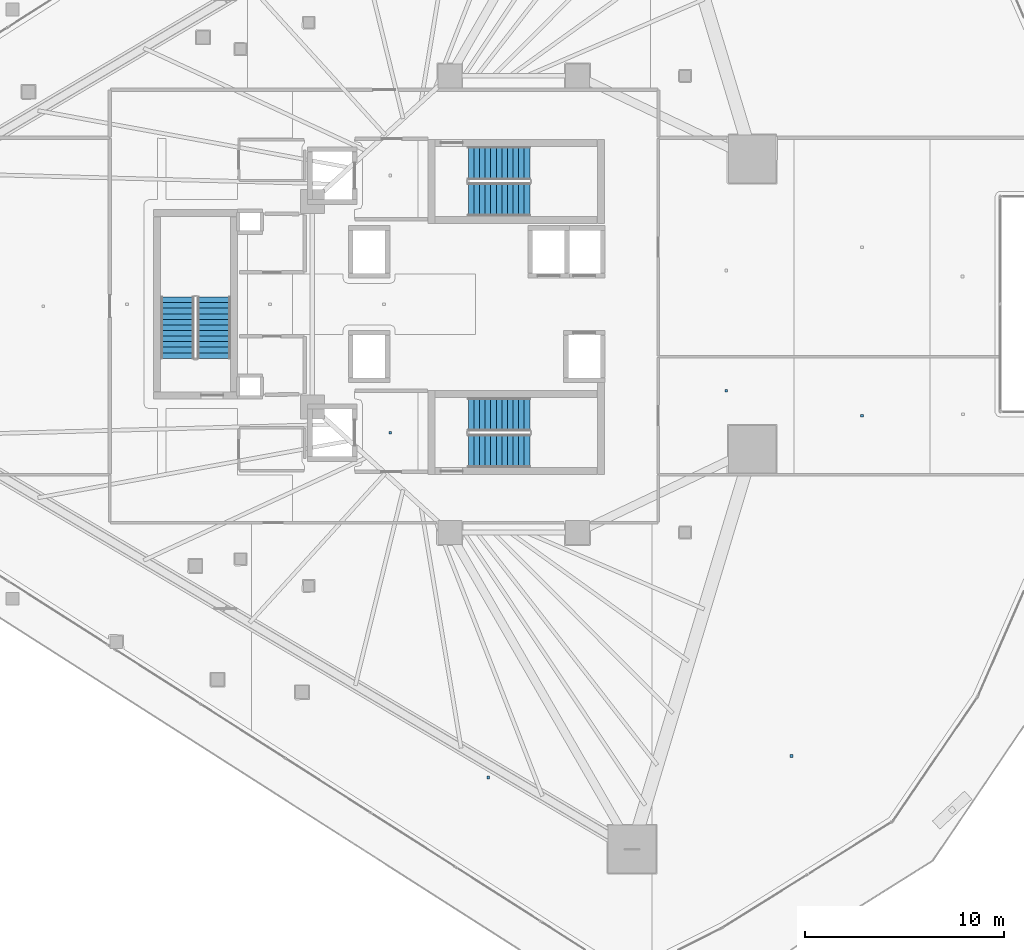
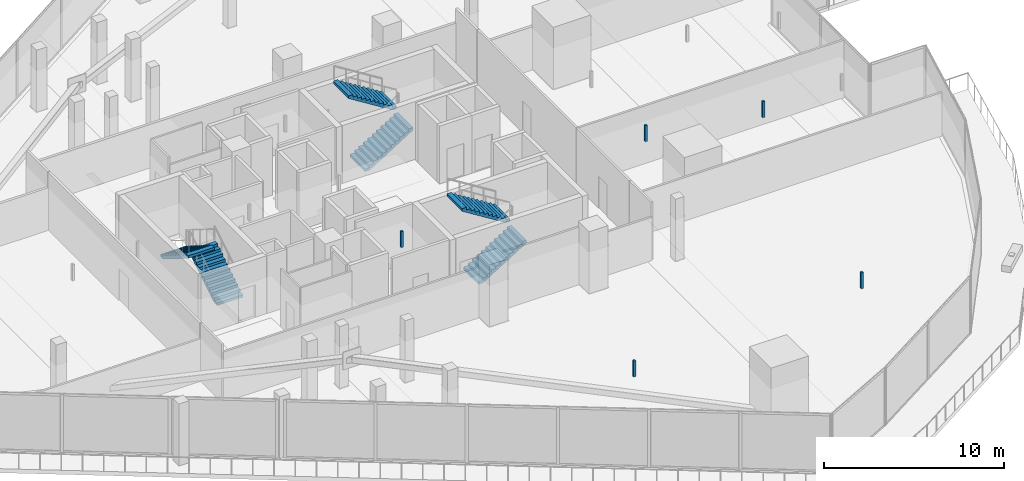
# One storey, part 32 of 43: 6 stair flights, 5 discrete accessories, 3 elements without a shape of their own.
"""IFC4 building model written with IfcOpenShell, lengths in metres."""

from ifc_helpers import new_model, si_unit, direction, frame, origin, origin_2d, place, context, subcontext, project, spatial, polyline, rectangle, outline, extrude, material, layer, layer_set, type_object, element, aggregate, save


model = new_model("IFC4")

# Units and contexts
model_context = context("Model", 3, precision=1e-05, world=origin(), true_north=direction((0.0, 1.0)))
body_context = subcontext(model_context, "Body", "Model", "MODEL_VIEW")
ifc_project = project(units=[si_unit("LENGTHUNIT", "METRE"), si_unit("AREAUNIT", "SQUARE_METRE"), si_unit("VOLUMEUNIT", "CUBIC_METRE"), si_unit("PLANEANGLEUNIT", "RADIAN"), si_unit("MASSUNIT", "GRAM", prefix="KILO")], contexts=[model_context])

# Site, building, storey
site_placement = place(None, origin())
site = spatial("IfcSite", under=ifc_project, at=site_placement, CompositionType="ELEMENT")
building_placement = place(site_placement, origin())
building = spatial("IfcBuilding", under=site, at=building_placement, Name="Qorvath Tower", CompositionType="ELEMENT")
storey_placement = place(building_placement, frame((0.0, 0.0, 36.60009765625)))
storey = spatial("IfcBuildingStorey", under=building, at=storey_placement, Name="L07", CompositionType="ELEMENT", Elevation=36.60009765625)

# Stair, stair flights
ifc_material_1 = material(Name="Concrete C50/60", Category="concrete")
stair_type = type_object("IfcStairType", Name="ST-H420", PredefinedType="HALF_TURN_STAIR", material=ifc_material_1)
stair_1_placement = place(storey_placement, origin())
stair_1 = element("IfcStair", 1, at=stair_1_placement, inside=storey, type_object=stair_type, Name="L07 Tower Exit Stair 1", PredefinedType="HALF_TURN_STAIR")
ifc_material_2 = material(Name="Concrete C50/60", Category="concrete")
ifc_layer = layer(ifc_material_2, 0.14990234375)
ifc_layer_set = layer_set([ifc_layer], Name="SF-H420")
stair_flight_type = type_object("IfcStairFlightType", Name="SF-H420", PredefinedType="STRAIGHT", material=ifc_layer_set)
stair_flight_1_placement = place(storey_placement, frame((-22.669921875, 5.239990234375, 0.0), z_axis=(0.0, 0.0, 1.0), x_axis=(1.0, 0.0, 0.0)))
stair_flight_1 = element("IfcStairFlight", 2, at=stair_flight_1_placement, type_object=stair_flight_type, Name="TS1 flight 1", NumberOfRisers=12, NumberOfTreads=11, PredefinedType="STRAIGHT", RiserHeight=0.175, TreadLength=0.28, context=body_context, shape_type="SweptSolid", body=[
    extrude(outline(polyline([(0.0, 0.0), (0.0, 0.175048828125), (0.280029296875, 0.175048828125), (0.280029296875, 0.35009765625), (0.56005859375, 0.35009765625), (0.56005859375, 0.52490234375), (0.840087890625, 0.52490234375), (0.840087890625, 0.699951171875), (1.1201171875, 0.699951171875), (1.1201171875, 0.875), (1.39990234375, 0.875), (1.39990234375, 1.050048828125), (1.679931640625, 1.050048828125), (1.679931640625, 1.22509765625), (1.9599609375, 1.22509765625), (1.9599609375, 1.39990234375), (2.239990234375, 1.39990234375), (2.239990234375, 1.574951171875), (2.52001953125, 1.574951171875), (2.52001953125, 1.75), (2.800048828125, 1.75), (2.800048828125, 1.925048828125), (3.080078125, 1.925048828125), (3.080078125, 2.10009765625), (3.080078125, 1.748291015625), (0.28271484375, 0.0), (0.0, 0.0)])), frame((0.0, 0.83984375, 0.0), z_axis=(0.0, -1.0, 0.0), x_axis=(1.0, 0.0, 0.0)), (0.0, 0.0, 1.0), 1.679931640625),
])
stair_flight_2_placement = place(storey_placement, frame((-19.590087890625, 7.070068359375, 2.099853515625), z_axis=(0.0, 0.0, 1.0), x_axis=(-1.0, 0.0, 0.0)))
stair_flight_2 = element("IfcStairFlight", 3, at=stair_flight_2_placement, type_object=stair_flight_type, Name="TS1 flight 2", NumberOfRisers=12, NumberOfTreads=11, PredefinedType="STRAIGHT", RiserHeight=0.175, TreadLength=0.28, context=body_context, shape_type="SweptSolid", body=[
    extrude(outline(polyline([(0.0, 0.0), (0.0, 0.175048828125), (0.280029296875, 0.175048828125), (0.280029296875, 0.35009765625), (0.56005859375, 0.35009765625), (0.56005859375, 0.52490234375), (0.840087890625, 0.52490234375), (0.840087890625, 0.699951171875), (1.1201171875, 0.699951171875), (1.1201171875, 0.875), (1.39990234375, 0.875), (1.39990234375, 1.050048828125), (1.679931640625, 1.050048828125), (1.679931640625, 1.22509765625), (1.9599609375, 1.22509765625), (1.9599609375, 1.39990234375), (2.239990234375, 1.39990234375), (2.239990234375, 1.574951171875), (2.52001953125, 1.574951171875), (2.52001953125, 1.75), (2.800048828125, 1.75), (2.800048828125, 1.925048828125), (3.080078125, 1.925048828125), (3.080078125, 2.10009765625), (3.080078125, 1.748291015625), (0.28271484375, 0.0), (0.0, 0.0)])), frame((0.0, 0.83984375, 0.0), z_axis=(0.0, -1.0, 0.0), x_axis=(1.0, 0.0, 0.0)), (0.0, 0.0, 1.0), 1.679931640625),
])
aggregate(stair_1, [stair_flight_1, stair_flight_2])

stair_2_placement = place(storey_placement, origin())
stair_2 = element("IfcStair", 4, at=stair_2_placement, inside=storey, type_object=stair_type, Name="L07 Tower Exit Stair 2", PredefinedType="HALF_TURN_STAIR")
stair_flight_3_placement = place(storey_placement, frame((-22.669921875, -7.360107421875, 0.0), z_axis=(0.0, 0.0, 1.0), x_axis=(1.0, 0.0, 0.0)))
stair_flight_3 = element("IfcStairFlight", 5, at=stair_flight_3_placement, type_object=stair_flight_type, Name="TS2 flight 1", NumberOfRisers=12, NumberOfTreads=11, PredefinedType="STRAIGHT", RiserHeight=0.175, TreadLength=0.28, context=body_context, shape_type="SweptSolid", body=[
    extrude(outline(polyline([(0.0, 0.0), (0.0, 0.175048828125), (0.280029296875, 0.175048828125), (0.280029296875, 0.35009765625), (0.56005859375, 0.35009765625), (0.56005859375, 0.52490234375), (0.840087890625, 0.52490234375), (0.840087890625, 0.699951171875), (1.1201171875, 0.699951171875), (1.1201171875, 0.875), (1.39990234375, 0.875), (1.39990234375, 1.050048828125), (1.679931640625, 1.050048828125), (1.679931640625, 1.22509765625), (1.9599609375, 1.22509765625), (1.9599609375, 1.39990234375), (2.239990234375, 1.39990234375), (2.239990234375, 1.574951171875), (2.52001953125, 1.574951171875), (2.52001953125, 1.75), (2.800048828125, 1.75), (2.800048828125, 1.925048828125), (3.080078125, 1.925048828125), (3.080078125, 2.10009765625), (3.080078125, 1.748291015625), (0.28271484375, 0.0), (0.0, 0.0)])), frame((0.0, 0.83984375, 0.0), z_axis=(0.0, -1.0, 0.0), x_axis=(1.0, 0.0, 0.0)), (0.0, 0.0, 1.0), 1.679931640625),
])
stair_flight_4_placement = place(storey_placement, frame((-19.590087890625, -5.530029296875, 2.099853515625), z_axis=(0.0, 0.0, 1.0), x_axis=(-1.0, 0.0, 0.0)))
stair_flight_4 = element("IfcStairFlight", 6, at=stair_flight_4_placement, type_object=stair_flight_type, Name="TS2 flight 2", NumberOfRisers=12, NumberOfTreads=11, PredefinedType="STRAIGHT", RiserHeight=0.175, TreadLength=0.28, context=body_context, shape_type="SweptSolid", body=[
    extrude(outline(polyline([(0.0, 0.0), (0.0, 0.175048828125), (0.280029296875, 0.175048828125), (0.280029296875, 0.35009765625), (0.56005859375, 0.35009765625), (0.56005859375, 0.52490234375), (0.840087890625, 0.52490234375), (0.840087890625, 0.699951171875), (1.1201171875, 0.699951171875), (1.1201171875, 0.875), (1.39990234375, 0.875), (1.39990234375, 1.050048828125), (1.679931640625, 1.050048828125), (1.679931640625, 1.22509765625), (1.9599609375, 1.22509765625), (1.9599609375, 1.39990234375), (2.239990234375, 1.39990234375), (2.239990234375, 1.574951171875), (2.52001953125, 1.574951171875), (2.52001953125, 1.75), (2.800048828125, 1.75), (2.800048828125, 1.925048828125), (3.080078125, 1.925048828125), (3.080078125, 2.10009765625), (3.080078125, 1.748291015625), (0.28271484375, 0.0), (0.0, 0.0)])), frame((0.0, 0.83984375, 0.0), z_axis=(0.0, -1.0, 0.0), x_axis=(1.0, 0.0, 0.0)), (0.0, 0.0, 1.0), 1.679931640625),
])
aggregate(stair_2, [stair_flight_3, stair_flight_4])

stair_3_placement = place(storey_placement, origin())
stair_3 = element("IfcStair", 7, at=stair_3_placement, inside=storey, type_object=stair_type, Name="L07 Tower Exit Stair 3", PredefinedType="HALF_TURN_STAIR")
stair_flight_5_placement = place(storey_placement, frame((-35.43994140625, -2.719970703125, 0.0), z_axis=(0.0, 0.0, 1.0), x_axis=(0.0, 1.0, 0.0)))
stair_flight_5 = element("IfcStairFlight", 8, at=stair_flight_5_placement, type_object=stair_flight_type, Name="TS3 flight 1", NumberOfRisers=12, NumberOfTreads=11, PredefinedType="STRAIGHT", RiserHeight=0.175, TreadLength=0.28, context=body_context, shape_type="SweptSolid", body=[
    extrude(outline(polyline([(0.0, 0.0), (0.0, 0.175048828125), (0.280029296875, 0.175048828125), (0.280029296875, 0.35009765625), (0.56005859375, 0.35009765625), (0.56005859375, 0.52490234375), (0.840087890625, 0.52490234375), (0.840087890625, 0.699951171875), (1.1201171875, 0.699951171875), (1.1201171875, 0.875), (1.39990234375, 0.875), (1.39990234375, 1.050048828125), (1.679931640625, 1.050048828125), (1.679931640625, 1.22509765625), (1.9599609375, 1.22509765625), (1.9599609375, 1.39990234375), (2.239990234375, 1.39990234375), (2.239990234375, 1.574951171875), (2.52001953125, 1.574951171875), (2.52001953125, 1.75), (2.800048828125, 1.75), (2.800048828125, 1.925048828125), (3.080078125, 1.925048828125), (3.080078125, 2.10009765625), (3.080078125, 1.748291015625), (0.28271484375, 0.0), (0.0, 0.0)])), frame((0.0, 0.83984375, 0.0), z_axis=(0.0, -1.0, 0.0), x_axis=(1.0, 0.0, 0.0)), (0.0, 0.0, 1.0), 1.679931640625),
])
stair_flight_6_placement = place(storey_placement, frame((-37.27001953125, 0.360107421875, 2.099853515625), z_axis=(0.0, 0.0, 1.0), x_axis=(0.0, -1.0, 0.0)))
stair_flight_6 = element("IfcStairFlight", 9, at=stair_flight_6_placement, type_object=stair_flight_type, Name="TS3 flight 2", NumberOfRisers=12, NumberOfTreads=11, PredefinedType="STRAIGHT", RiserHeight=0.175, TreadLength=0.28, context=body_context, shape_type="SweptSolid", body=[
    extrude(outline(polyline([(0.0, 0.0), (0.0, 0.175048828125), (0.280029296875, 0.175048828125), (0.280029296875, 0.35009765625), (0.56005859375, 0.35009765625), (0.56005859375, 0.52490234375), (0.840087890625, 0.52490234375), (0.840087890625, 0.699951171875), (1.1201171875, 0.699951171875), (1.1201171875, 0.875), (1.39990234375, 0.875), (1.39990234375, 1.050048828125), (1.679931640625, 1.050048828125), (1.679931640625, 1.22509765625), (1.9599609375, 1.22509765625), (1.9599609375, 1.39990234375), (2.239990234375, 1.39990234375), (2.239990234375, 1.574951171875), (2.52001953125, 1.574951171875), (2.52001953125, 1.75), (2.800048828125, 1.75), (2.800048828125, 1.925048828125), (3.080078125, 1.925048828125), (3.080078125, 2.10009765625), (3.080078125, 1.748291015625), (0.28271484375, 0.0), (0.0, 0.0)])), frame((0.0, 0.83984375, 0.0), z_axis=(0.0, -1.0, 0.0), x_axis=(1.0, 0.0, 0.0)), (0.0, 0.0, 1.0), 1.679931640625),
])
aggregate(stair_3, [stair_flight_5, stair_flight_6])

# Discrete accessories
ifc_material_3 = material(Name="Galvanised steel bracket", Category="steel")
discrete_accessory_type = type_object("IfcDiscreteAccessoryType", Name="DA-BRACKET", PredefinedType="BRACKET", material=ifc_material_3)
for number, where, z_axis, x_axis, name in (
    (10, (-26.590087890625, -6.449951171875, 2.85986328125), (0.0, 0.0, 1.0), (1.0, 0.0, 0.0), "Acoustic Ceiling Suspension Hanger T1-L07-002"),
    (11, (-21.671630859375, -23.73974609375, 2.85986328125), (0.0, 0.0, 1.0), (1.0, 0.0, 0.0), "Acoustic Ceiling Suspension Hanger T1-L07-014"),
    (12, (-6.464111328125, -22.664794921875, 2.85986328125), (0.0, 0.0, 1.0), (1.0, 0.0, 0.0), "Acoustic Ceiling Suspension Hanger T1-L07-015"),
    (13, (-9.7333984375, -4.341064453125, 2.85986328125), (0.0, 0.0, 1.0), (1.0, 0.0, 0.0), "Acoustic Ceiling Suspension Hanger T1-L07-019"),
    (14, (-2.92626953125, -5.592529296875, 2.85986328125), (0.0, 0.0, 1.0), (1.0, 0.0, 0.0), "Acoustic Ceiling Suspension Hanger T1-L07-020"),
):
    element("IfcDiscreteAccessory", number, at=place(storey_placement, frame(where, z_axis=z_axis, x_axis=x_axis)), inside=storey, type_object=discrete_accessory_type, Name=name, PredefinedType="NOTDEFINED", context=body_context, shape_type="SweptSolid", body=[
        extrude(rectangle(XDim=0.139892578125, YDim=0.139892578125, at=origin_2d()), origin(), (0.0, 0.0, 1.0), 1.090087890625),
    ])

save(model, "model.ifc")
